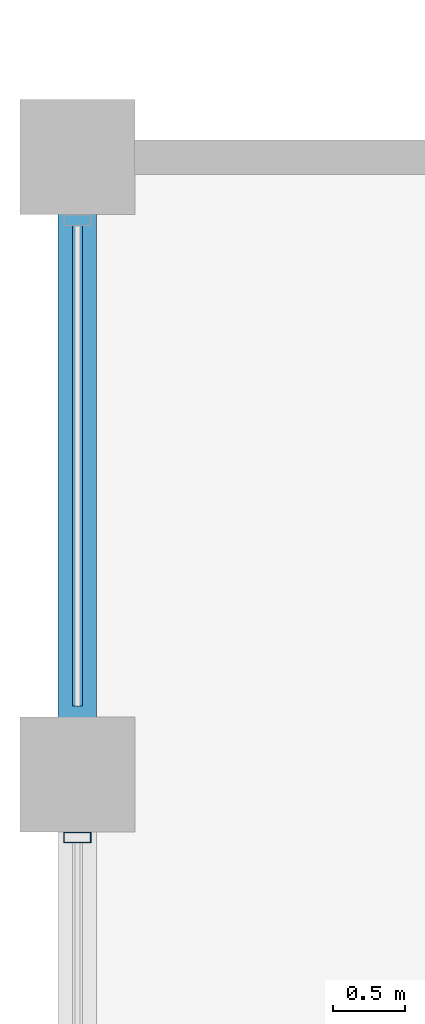
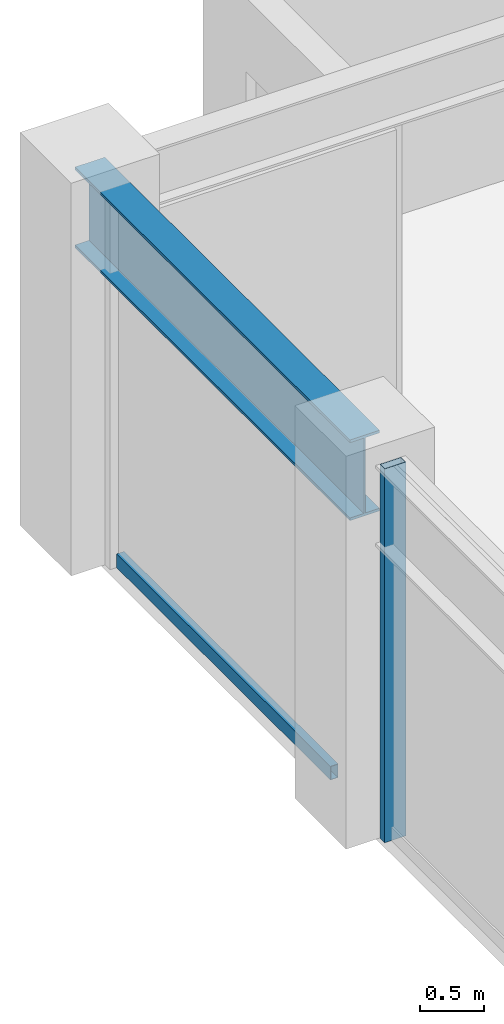
# One storey, part 16 of 32: 2 members, 1 beam, 1 element without a shape of its own.
"""IFC4 building model written with IfcOpenShell, lengths in metres."""

import ifcopenshell
import ifcopenshell.guid

model = None  # the IFC model being written
_history = None  # IfcOwnerHistory: only IFC2X3 demands one
_inside = {}  # id of a spatial element -> (the spatial element, [elements in it])
_under = {}  # id of a project, library or spatial element -> (it, [spatial elements below it])
_declared = {}  # id of a project -> (the project, [libraries it declares])
_typed = {}  # id of a type object -> (the type object, [elements of that type])
_made_of = {}  # id of a material, layer set ... -> (it, [elements and type objects made of it])


def new_model(schema):
    """Start an empty IFC model of exactly this schema.

    Asked for "IFC4X3", IfcOpenShell would pick the latest addendum, in which some entities
    have other attributes; the version numbers below select the first issue.
    IFC2X3 requires an IfcOwnerHistory on every rooted entity: one is made here for all.
    """
    global model, _history
    if schema == "IFC4X3":
        model = ifcopenshell.file(schema_version=(4, 3, 0, 0))
    else:
        model = ifcopenshell.file(schema=schema)
    _inside.clear()
    _under.clear()
    _declared.clear()
    _typed.clear()
    _made_of.clear()
    _history = None
    if model.schema == "IFC2X3":
        org = make("IfcOrganization", Name="unknown")
        user = make(
            "IfcPersonAndOrganization",
            ThePerson=make("IfcPerson", FamilyName="unknown"),
            TheOrganization=org,
        )
        app = make(
            "IfcApplication",
            ApplicationDeveloper=org,
            Version="unknown",
            ApplicationFullName="unknown",
            ApplicationIdentifier="unknown",
        )
        _history = make(
            "IfcOwnerHistory",
            OwningUser=user,
            OwningApplication=app,
            ChangeAction="ADDED",
            CreationDate=0,
        )
    return model


def make(cls, **values):
    """One entity of the class cls with the attributes given. An attribute that is None is left unset."""
    return model.create_entity(
        cls, **{name: value for name, value in values.items() if value is not None}
    )


def rooted(cls, **values):
    """An entity with a GlobalId (a new one), such as an element, a storey or a relation."""
    return make(cls, GlobalId=ifcopenshell.guid.new(), OwnerHistory=_history, **values)


def si_unit(unit_type, name, prefix=None):
    """IfcSIUnit, for example si_unit("LENGTHUNIT", "METRE", prefix="MILLI")."""
    return make("IfcSIUnit", UnitType=unit_type, Prefix=prefix, Name=name)


def assignment(units):
    """IfcUnitAssignment: the units of a project."""
    return None if units is None else make("IfcUnitAssignment", Units=units)


def point(xyz):
    """IfcCartesianPoint."""
    return None if xyz is None else make("IfcCartesianPoint", Coordinates=xyz)


def direction(xyz):
    """IfcDirection."""
    return None if xyz is None else make("IfcDirection", DirectionRatios=xyz)


def frame(location, z_axis=None, x_axis=None):
    """IfcAxis2Placement3D, a coordinate frame: its origin and axes. An axis left out is left unset."""
    return make(
        "IfcAxis2Placement3D",
        Location=point(location),
        Axis=direction(z_axis),
        RefDirection=direction(x_axis),
    )


def frame_2d(location, x_axis=None):
    """IfcAxis2Placement2D, a coordinate frame in the plane: its origin and x axis."""
    return make(
        "IfcAxis2Placement2D", Location=point(location), RefDirection=direction(x_axis)
    )


def origin():
    """The frame at (0, 0, 0) with its axes left unset."""
    return frame((0.0, 0.0, 0.0))


def origin_2d():
    """The frame at (0, 0) in the plane with its x axis left unset."""
    return frame_2d((0.0, 0.0))


def place(relative_to, where):
    """IfcLocalPlacement: puts the frame where relative to a parent placement (None: the world)."""
    return make(
        "IfcLocalPlacement", PlacementRelTo=relative_to, RelativePlacement=where
    )


def context(
    kind, dimensions, precision=None, world=None, true_north=None, identifier=None
):
    """IfcGeometricRepresentationContext, for example the 3D "Model" context."""
    return make(
        "IfcGeometricRepresentationContext",
        ContextIdentifier=identifier,
        ContextType=kind,
        CoordinateSpaceDimension=dimensions,
        Precision=precision,
        WorldCoordinateSystem=world,
        TrueNorth=true_north,
    )


def subcontext(parent, identifier, kind, view, scale=None):
    """IfcGeometricRepresentationSubContext, for example "Body" below "Model"."""
    return make(
        "IfcGeometricRepresentationSubContext",
        ContextIdentifier=identifier,
        ContextType=kind,
        ParentContext=parent,
        TargetScale=scale,
        TargetView=view,
    )


def project(units=None, contexts=None):
    """IfcProject with its units and contexts."""
    return rooted(
        "IfcProject",
        Name="project",
        RepresentationContexts=contexts,
        UnitsInContext=assignment(units),
    )


def spatial(cls, under=None, at=None, **own):
    """A site, building, storey or space (cls), placed at a placement, below another one or the project."""
    s = rooted(cls, ObjectPlacement=at, **own)
    if under is not None:
        _under.setdefault(under.id(), (under, []))[1].append(s)
    return s


def profile(cls, at=None, kind="AREA", **sizes):
    """A parametric profile (cls). Its sizes go by their IFC names, for example OverallWidth=200.0."""
    return make(cls, ProfileType=kind, Position=at, **sizes)


def hollow_rectangle(**sizes):
    """IfcRectangleHollowProfileDef."""
    return profile("IfcRectangleHollowProfileDef", **sizes)


def i_section(**sizes):
    """IfcIShapeProfileDef."""
    return profile("IfcIShapeProfileDef", **sizes)


def extrude(swept, where, along, depth):
    """IfcExtrudedAreaSolid: the profile swept, set in the frame where, extruded along a direction by depth."""
    return make(
        "IfcExtrudedAreaSolid",
        SweptArea=swept,
        Position=where,
        ExtrudedDirection=direction(along),
        Depth=depth,
    )


def shape(context_of_items, identifier, shape_type, items):
    """IfcShapeRepresentation: the items that make up one representation, for example the "Body"."""
    return make(
        "IfcShapeRepresentation",
        ContextOfItems=context_of_items,
        RepresentationIdentifier=identifier,
        RepresentationType=shape_type,
        Items=items,
    )


def material(Name=None, Category=None):
    """IfcMaterial."""
    return make("IfcMaterial", Name=Name, Category=Category)


def layer(
    of_material, thickness, ventilated=None, Name=None, Category=None, Priority=None
):
    """IfcMaterialLayer: one layer of a wall or slab, of a material (None: an air gap)."""
    return make(
        "IfcMaterialLayer",
        Material=of_material,
        LayerThickness=thickness,
        IsVentilated=ventilated,
        Name=Name,
        Category=Category,
        Priority=Priority,
    )


def layer_set(layers, Name=None):
    """IfcMaterialLayerSet."""
    return make("IfcMaterialLayerSet", MaterialLayers=layers, LayerSetName=Name)


def material_profile(
    of_material, cross_section, Name=None, Category=None, Priority=None
):
    """IfcMaterialProfile: a cross section and its material."""
    return make(
        "IfcMaterialProfile",
        Name=Name,
        Material=of_material,
        Profile=cross_section,
        Priority=Priority,
        Category=Category,
    )


def profile_set(profiles, Name=None, composite=None):
    """IfcMaterialProfileSet."""
    return make(
        "IfcMaterialProfileSet",
        Name=Name,
        MaterialProfiles=profiles,
        CompositeProfile=composite,
    )


def made_of(thing, what):
    """Note that an element or type object is made of a material, layer set ...; save() writes the relation."""
    if what is not None:
        _made_of.setdefault(what.id(), (what, []))[1].append(thing)
    return thing


def type_object(cls, material=None, **own):
    """A type object (cls), such as IfcWallType, which elements share."""
    return made_of(rooted(cls, **own), material)


def element(
    cls,
    number,
    at=None,
    inside=None,
    cuts=None,
    type_object=None,
    material=None,
    context=None,
    identifier="Body",
    shape_type=None,
    held_by="IfcProductDefinitionShape",
    body=None,
    shapes=None,
    **own,
):
    """One element of the class cls, such as IfcWall. Its Tag is "e" and its number.

    at: its placement. inside: the storey or other place that contains it. cuts: it is an
    opening in that element (IfcRelVoidsElement). A single representation is given by context,
    identifier, shape_type and body (its items); several are given by shapes. held_by: the class
    of the entity that holds the representations. save() writes the other relations.
    """
    e = rooted(cls, Tag="e%d" % number, ObjectPlacement=at, **own)
    if body is not None:
        shapes = [shape(context, identifier, shape_type, body)]
    if shapes is not None:
        e.Representation = make(held_by, Representations=shapes)
    if inside is not None:
        _inside.setdefault(inside.id(), (inside, []))[1].append(e)
    if cuts is not None:
        rooted(
            "IfcRelVoidsElement", RelatingBuildingElement=cuts, RelatedOpeningElement=e
        )
    if type_object is not None:
        _typed.setdefault(type_object.id(), (type_object, []))[1].append(e)
    return made_of(e, material)


def aggregate(whole, parts):
    """IfcRelAggregates: a whole, such as a stair, and the parts it consists of."""
    return rooted("IfcRelAggregates", RelatingObject=whole, RelatedObjects=parts)


def save(model, path):
    """Write the relations noted so far, then the file.

    IfcRelAggregates (storeys below a building ...), IfcRelContainedInSpatialStructure (elements
    in a storey), IfcRelDefinesByType, IfcRelAssociatesMaterial and IfcRelDeclares: one each for
    every whole, place, type object, material and project.
    """
    for whole, parts in _under.values():
        aggregate(whole, parts)
    for where, things in _inside.values():
        rooted(
            "IfcRelContainedInSpatialStructure",
            RelatedElements=things,
            RelatingStructure=where,
        )
    for kind, things in _typed.values():
        rooted("IfcRelDefinesByType", RelatedObjects=things, RelatingType=kind)
    for what, things in _made_of.values():
        rooted("IfcRelAssociatesMaterial", RelatedObjects=things, RelatingMaterial=what)
    for by, libraries in _declared.values():
        rooted("IfcRelDeclares", RelatingContext=by, RelatedDefinitions=libraries)
    model.write(path)


model = new_model("IFC4")

# Units and contexts
model_context = context("Model", 3, precision=1e-05, world=origin(), true_north=direction((0.0, 1.0)))
body_context = subcontext(model_context, "Body", "Model", "MODEL_VIEW")
ifc_project = project(units=[si_unit("LENGTHUNIT", "METRE"), si_unit("AREAUNIT", "SQUARE_METRE"), si_unit("VOLUMEUNIT", "CUBIC_METRE"), si_unit("PLANEANGLEUNIT", "RADIAN"), si_unit("MASSUNIT", "GRAM", prefix="KILO")], contexts=[model_context])

# Site, building, storey
site_placement = place(None, origin())
site = spatial("IfcSite", under=ifc_project, at=site_placement, CompositionType="ELEMENT")
building_placement = place(site_placement, origin())
building = spatial("IfcBuilding", under=site, at=building_placement, Name="Surkhivell Harbour Commons", CompositionType="ELEMENT")
storey_placement = place(building_placement, frame((0.0, 0.0, 219.75)))
storey = spatial("IfcBuildingStorey", under=building, at=storey_placement, Name="L57", CompositionType="ELEMENT", Elevation=219.75)

# Beam
ifc_material_1 = material(Name="Steel S355", Category="steel")
ifc_material_profile_1 = material_profile(ifc_material_1, i_section(OverallWidth=0.26806640625, OverallDepth=0.77001953125, WebThickness=0.015625, FlangeThickness=0.025390625, at=origin_2d()), Name="UB762x267x197")
ifc_profile_set_1 = profile_set([ifc_material_profile_1], Name="Steel S355")
beam_type = type_object("IfcBeamType", Name="BM-SPN-762", PredefinedType="SPANDREL", material=ifc_profile_set_1)
beam_placement = place(storey_placement, frame((-27.0, 16.199951171875, 3.18505859375), z_axis=(0.0, 1.0, 0.0), x_axis=(-1.0, 0.0, 0.0)))
element("IfcBeam", 1, at=beam_placement, inside=storey, type_object=beam_type, Name="L57 Tube Spandrel (-27.0,16.2)", PredefinedType="SPANDREL", context=body_context, shape_type="SweptSolid", body=[
    extrude(i_section(OverallWidth=0.26806640625, OverallDepth=0.77001953125, WebThickness=0.015625, FlangeThickness=0.025390625, at=origin_2d()), origin(), (0.0, 0.0, 1.0), 4.300048828125),
])

# Curtain wall, members
ifc_material_2 = material(Name="Anodised pale-metal aluminium and insulated glazing", Category="aluminium")
ifc_layer = layer(ifc_material_2, 0.18994140625)
ifc_layer_set = layer_set([ifc_layer], Name="Anodised pale-metal aluminium and insulated glazing")
curtain_wall_type = type_object("IfcCurtainWallType", Name="CW-SYS-Z3", PredefinedType="NOTDEFINED", material=ifc_layer_set)
curtain_wall_placement = place(storey_placement, origin())
curtain_wall = element("IfcCurtainWall", 2, at=curtain_wall_placement, inside=storey, type_object=curtain_wall_type, Name="L57 Curtain Wall CW-L57-E12S1", PredefinedType="NOTDEFINED")
ifc_material_3 = material(Name="Anodised pale-metal aluminium alloy 6063-T6", Category="aluminium")
ifc_material_profile_2 = material_profile(ifc_material_3, hollow_rectangle(XDim=0.074951171875, YDim=0.18994140625, WallThickness=0.00390625, at=origin_2d()), Name="ALU-MULL-75x190")
ifc_profile_set_2 = profile_set([ifc_material_profile_2], Name="Anodised pale-metal aluminium alloy 6063-T6")
member_type_1 = type_object("IfcMemberType", Name="CWM-190", PredefinedType="MULLION", material=ifc_profile_set_2)
member_1_placement = place(storey_placement, frame((-27.0, 15.760498046875, 0.0), z_axis=(0.0, 0.0, 1.0), x_axis=(0.0, -1.0, 0.0)))
member_1 = element("IfcMember", 3, at=member_1_placement, type_object=member_type_1, Name="CW-Z3 mullion 2", PredefinedType="MULLION", context=body_context, shape_type="SweptSolid", body=[
    extrude(hollow_rectangle(XDim=0.074951171875, YDim=0.18994140625, WallThickness=0.00390625, at=origin_2d()), origin(), (0.0, 0.0, 1.0), 3.570068359375),
])
ifc_material_4 = material(Name="Champagne anodised aluminium alloy 6063-T6", Category="aluminium")
ifc_material_profile_3 = material_profile(ifc_material_4, hollow_rectangle(XDim=0.070068359375, YDim=0.1298828125, WallThickness=0.00341796875, at=origin_2d()), Name="ALU-TRAN-70x130")
ifc_profile_set_3 = profile_set([ifc_material_profile_3], Name="Champagne anodised aluminium alloy 6063-T6")
member_type_2 = type_object("IfcMemberType", Name="CWT-130", PredefinedType="USERDEFINED", material=ifc_profile_set_3)
member_2_placement = place(storey_placement, frame((-27.0, 20.02294921875, 0.06494140625), z_axis=(0.0, -1.0, 0.0), x_axis=(1.0, 0.0, 0.0)))
member_2 = element("IfcMember", 4, at=member_2_placement, type_object=member_type_2, Name="CW-Z3 transom 1.1", ObjectType="TRANSOM", PredefinedType="USERDEFINED", context=body_context, shape_type="SweptSolid", body=[
    extrude(hollow_rectangle(XDim=0.070068359375, YDim=0.1298828125, WallThickness=0.00341796875, at=origin_2d()), origin(), (0.0, 0.0, 1.0), 3.345947265625),
])
aggregate(curtain_wall, [member_2, member_1])

save(model, "model.ifc")
